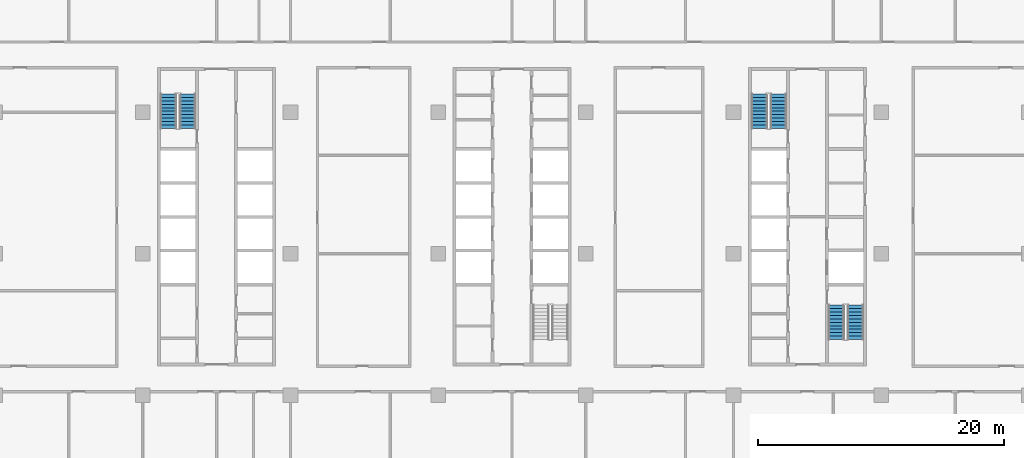
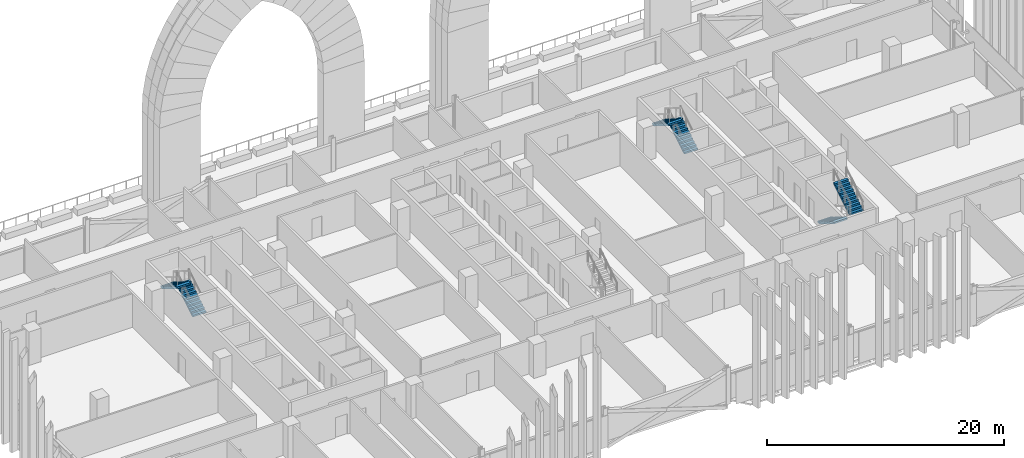
# One storey, part 16 of 30: 6 stair flights, 3 elements without a shape of their own.
"""IFC4 building model written with IfcOpenShell, lengths in metres."""

import ifcopenshell
import ifcopenshell.guid

model = None  # the IFC model being written
_history = None  # IfcOwnerHistory: only IFC2X3 demands one
_inside = {}  # id of a spatial element -> (the spatial element, [elements in it])
_under = {}  # id of a project, library or spatial element -> (it, [spatial elements below it])
_declared = {}  # id of a project -> (the project, [libraries it declares])
_typed = {}  # id of a type object -> (the type object, [elements of that type])
_made_of = {}  # id of a material, layer set ... -> (it, [elements and type objects made of it])


def new_model(schema):
    """Start an empty IFC model of exactly this schema.

    Asked for "IFC4X3", IfcOpenShell would pick the latest addendum, in which some entities
    have other attributes; the version numbers below select the first issue.
    IFC2X3 requires an IfcOwnerHistory on every rooted entity: one is made here for all.
    """
    global model, _history
    if schema == "IFC4X3":
        model = ifcopenshell.file(schema_version=(4, 3, 0, 0))
    else:
        model = ifcopenshell.file(schema=schema)
    _inside.clear()
    _under.clear()
    _declared.clear()
    _typed.clear()
    _made_of.clear()
    _history = None
    if model.schema == "IFC2X3":
        org = make("IfcOrganization", Name="unknown")
        user = make(
            "IfcPersonAndOrganization",
            ThePerson=make("IfcPerson", FamilyName="unknown"),
            TheOrganization=org,
        )
        app = make(
            "IfcApplication",
            ApplicationDeveloper=org,
            Version="unknown",
            ApplicationFullName="unknown",
            ApplicationIdentifier="unknown",
        )
        _history = make(
            "IfcOwnerHistory",
            OwningUser=user,
            OwningApplication=app,
            ChangeAction="ADDED",
            CreationDate=0,
        )
    return model


def make(cls, **values):
    """One entity of the class cls with the attributes given. An attribute that is None is left unset."""
    return model.create_entity(
        cls, **{name: value for name, value in values.items() if value is not None}
    )


def rooted(cls, **values):
    """An entity with a GlobalId (a new one), such as an element, a storey or a relation."""
    return make(cls, GlobalId=ifcopenshell.guid.new(), OwnerHistory=_history, **values)


def si_unit(unit_type, name, prefix=None):
    """IfcSIUnit, for example si_unit("LENGTHUNIT", "METRE", prefix="MILLI")."""
    return make("IfcSIUnit", UnitType=unit_type, Prefix=prefix, Name=name)


def assignment(units):
    """IfcUnitAssignment: the units of a project."""
    return None if units is None else make("IfcUnitAssignment", Units=units)


def point(xyz):
    """IfcCartesianPoint."""
    return None if xyz is None else make("IfcCartesianPoint", Coordinates=xyz)


def direction(xyz):
    """IfcDirection."""
    return None if xyz is None else make("IfcDirection", DirectionRatios=xyz)


def frame(location, z_axis=None, x_axis=None):
    """IfcAxis2Placement3D, a coordinate frame: its origin and axes. An axis left out is left unset."""
    return make(
        "IfcAxis2Placement3D",
        Location=point(location),
        Axis=direction(z_axis),
        RefDirection=direction(x_axis),
    )


def origin():
    """The frame at (0, 0, 0) with its axes left unset."""
    return frame((0.0, 0.0, 0.0))


def place(relative_to, where):
    """IfcLocalPlacement: puts the frame where relative to a parent placement (None: the world)."""
    return make(
        "IfcLocalPlacement", PlacementRelTo=relative_to, RelativePlacement=where
    )


def context(
    kind, dimensions, precision=None, world=None, true_north=None, identifier=None
):
    """IfcGeometricRepresentationContext, for example the 3D "Model" context."""
    return make(
        "IfcGeometricRepresentationContext",
        ContextIdentifier=identifier,
        ContextType=kind,
        CoordinateSpaceDimension=dimensions,
        Precision=precision,
        WorldCoordinateSystem=world,
        TrueNorth=true_north,
    )


def subcontext(parent, identifier, kind, view, scale=None):
    """IfcGeometricRepresentationSubContext, for example "Body" below "Model"."""
    return make(
        "IfcGeometricRepresentationSubContext",
        ContextIdentifier=identifier,
        ContextType=kind,
        ParentContext=parent,
        TargetScale=scale,
        TargetView=view,
    )


def project(units=None, contexts=None):
    """IfcProject with its units and contexts."""
    return rooted(
        "IfcProject",
        Name="project",
        RepresentationContexts=contexts,
        UnitsInContext=assignment(units),
    )


def spatial(cls, under=None, at=None, **own):
    """A site, building, storey or space (cls), placed at a placement, below another one or the project."""
    s = rooted(cls, ObjectPlacement=at, **own)
    if under is not None:
        _under.setdefault(under.id(), (under, []))[1].append(s)
    return s


def polyline(points):
    """IfcPolyline through the points."""
    return make("IfcPolyline", Points=[point(p) for p in points])


def outline(outer, holes=None, kind="AREA"):
    """IfcArbitraryClosedProfileDef: a profile drawn as a closed curve; with holes, ...WithVoids."""
    if holes is None:
        return make("IfcArbitraryClosedProfileDef", ProfileType=kind, OuterCurve=outer)
    return make(
        "IfcArbitraryProfileDefWithVoids",
        ProfileType=kind,
        OuterCurve=outer,
        InnerCurves=holes,
    )


def extrude(swept, where, along, depth):
    """IfcExtrudedAreaSolid: the profile swept, set in the frame where, extruded along a direction by depth."""
    return make(
        "IfcExtrudedAreaSolid",
        SweptArea=swept,
        Position=where,
        ExtrudedDirection=direction(along),
        Depth=depth,
    )


def shape(context_of_items, identifier, shape_type, items):
    """IfcShapeRepresentation: the items that make up one representation, for example the "Body"."""
    return make(
        "IfcShapeRepresentation",
        ContextOfItems=context_of_items,
        RepresentationIdentifier=identifier,
        RepresentationType=shape_type,
        Items=items,
    )


def material(Name=None, Category=None):
    """IfcMaterial."""
    return make("IfcMaterial", Name=Name, Category=Category)


def made_of(thing, what):
    """Note that an element or type object is made of a material, layer set ...; save() writes the relation."""
    if what is not None:
        _made_of.setdefault(what.id(), (what, []))[1].append(thing)
    return thing


def type_object(cls, material=None, **own):
    """A type object (cls), such as IfcWallType, which elements share."""
    return made_of(rooted(cls, **own), material)


def element(
    cls,
    number,
    at=None,
    inside=None,
    cuts=None,
    type_object=None,
    material=None,
    context=None,
    identifier="Body",
    shape_type=None,
    held_by="IfcProductDefinitionShape",
    body=None,
    shapes=None,
    **own,
):
    """One element of the class cls, such as IfcWall. Its Tag is "e" and its number.

    at: its placement. inside: the storey or other place that contains it. cuts: it is an
    opening in that element (IfcRelVoidsElement). A single representation is given by context,
    identifier, shape_type and body (its items); several are given by shapes. held_by: the class
    of the entity that holds the representations. save() writes the other relations.
    """
    e = rooted(cls, Tag="e%d" % number, ObjectPlacement=at, **own)
    if body is not None:
        shapes = [shape(context, identifier, shape_type, body)]
    if shapes is not None:
        e.Representation = make(held_by, Representations=shapes)
    if inside is not None:
        _inside.setdefault(inside.id(), (inside, []))[1].append(e)
    if cuts is not None:
        rooted(
            "IfcRelVoidsElement", RelatingBuildingElement=cuts, RelatedOpeningElement=e
        )
    if type_object is not None:
        _typed.setdefault(type_object.id(), (type_object, []))[1].append(e)
    return made_of(e, material)


def aggregate(whole, parts):
    """IfcRelAggregates: a whole, such as a stair, and the parts it consists of."""
    return rooted("IfcRelAggregates", RelatingObject=whole, RelatedObjects=parts)


def save(model, path):
    """Write the relations noted so far, then the file.

    IfcRelAggregates (storeys below a building ...), IfcRelContainedInSpatialStructure (elements
    in a storey), IfcRelDefinesByType, IfcRelAssociatesMaterial and IfcRelDeclares: one each for
    every whole, place, type object, material and project.
    """
    for whole, parts in _under.values():
        aggregate(whole, parts)
    for where, things in _inside.values():
        rooted(
            "IfcRelContainedInSpatialStructure",
            RelatedElements=things,
            RelatingStructure=where,
        )
    for kind, things in _typed.values():
        rooted("IfcRelDefinesByType", RelatedObjects=things, RelatingType=kind)
    for what, things in _made_of.values():
        rooted("IfcRelAssociatesMaterial", RelatedObjects=things, RelatingMaterial=what)
    for by, libraries in _declared.values():
        rooted("IfcRelDeclares", RelatingContext=by, RelatedDefinitions=libraries)
    model.write(path)


model = new_model("IFC4")

# Units and contexts
model_context = context("Model", 3, precision=1e-05, world=origin(), true_north=direction((0.0, 1.0)))
body_context = subcontext(model_context, "Body", "Model", "MODEL_VIEW")
ifc_project = project(units=[si_unit("LENGTHUNIT", "METRE"), si_unit("AREAUNIT", "SQUARE_METRE"), si_unit("VOLUMEUNIT", "CUBIC_METRE"), si_unit("PLANEANGLEUNIT", "RADIAN"), si_unit("MASSUNIT", "GRAM", prefix="KILO")], contexts=[model_context])

# Site, building, storey
site_placement = place(None, origin())
site = spatial("IfcSite", under=ifc_project, at=site_placement, CompositionType="ELEMENT")
building_placement = place(site_placement, origin())
building = spatial("IfcBuilding", under=site, at=building_placement, Name="Mahtab Terrace Research Tower", CompositionType="ELEMENT")
storey_placement = place(building_placement, frame((0.0, 0.0, 159.199951171875)))
storey = spatial("IfcBuildingStorey", under=building, at=storey_placement, Name="L37", CompositionType="ELEMENT", Elevation=159.199951171875)

# Stair, stair flights
ifc_material_1 = material(Name="Exit stair half-turn")
stair_type = type_object("IfcStairType", Name="Exit stair half-turn", PredefinedType="HALF_TURN_STAIR", material=ifc_material_1)
stair_1_placement = place(storey_placement, origin())
stair_1 = element("IfcStair", 1, at=stair_1_placement, inside=storey, type_object=stair_type, Name="L37 Protected exit stair ST1", PredefinedType="HALF_TURN_STAIR")
ifc_material_2 = material(Name="Concrete C40/50", Category="concrete")
stair_flight_type = type_object("IfcStairFlightType", Name="Exit stair flight 1300", PredefinedType="STRAIGHT", material=ifc_material_2)
stair_flight_1_placement = place(storey_placement, frame((-26.35009765625, 10.175048828125, 0.0), z_axis=(0.0, 0.0, 1.0), x_axis=(0.0, 1.0, 0.0)))
stair_flight_1 = element("IfcStairFlight", 2, at=stair_flight_1_placement, type_object=stair_flight_type, Name="ST1 flight 1", NumberOfRisers=11, NumberOfTreads=10, PredefinedType="STRAIGHT", RiserHeight=0.172727273, TreadLength=0.28, context=body_context, shape_type="SweptSolid", body=[
    extrude(outline(polyline([(0.0, 0.0), (0.0, 0.172607421875), (0.280029296875, 0.172607421875), (0.280029296875, 0.345458984375), (0.56005859375, 0.345458984375), (0.56005859375, 0.51806640625), (0.840087890625, 0.51806640625), (0.840087890625, 0.69091796875), (1.1201171875, 0.69091796875), (1.1201171875, 0.863525390625), (1.39990234375, 0.863525390625), (1.39990234375, 1.036376953125), (1.679931640625, 1.036376953125), (1.679931640625, 1.208984375), (1.9599609375, 1.208984375), (1.9599609375, 1.3818359375), (2.239990234375, 1.3818359375), (2.239990234375, 1.554443359375), (2.52001953125, 1.554443359375), (2.52001953125, 1.727294921875), (2.800048828125, 1.727294921875), (2.800048828125, 1.89990234375), (2.800048828125, 1.551025390625), (0.285400390625, 0.0), (0.0, 0.0)])), frame((0.0, 0.64990234375, 0.0), z_axis=(0.0, -1.0, 0.0), x_axis=(1.0, 0.0, 0.0)), (0.0, 0.0, 1.0), 1.300048828125),
])
stair_flight_2_placement = place(storey_placement, frame((-27.89990234375, 12.97509765625, 1.900146484375), z_axis=(0.0, 0.0, 1.0), x_axis=(0.0, -1.0, 0.0)))
stair_flight_2 = element("IfcStairFlight", 3, at=stair_flight_2_placement, type_object=stair_flight_type, Name="ST1 flight 2", NumberOfRisers=11, NumberOfTreads=10, PredefinedType="STRAIGHT", RiserHeight=0.172727273, TreadLength=0.28, context=body_context, shape_type="SweptSolid", body=[
    extrude(outline(polyline([(0.0, 0.0), (0.0, 0.172607421875), (0.280029296875, 0.172607421875), (0.280029296875, 0.345458984375), (0.56005859375, 0.345458984375), (0.56005859375, 0.51806640625), (0.840087890625, 0.51806640625), (0.840087890625, 0.69091796875), (1.1201171875, 0.69091796875), (1.1201171875, 0.863525390625), (1.39990234375, 0.863525390625), (1.39990234375, 1.036376953125), (1.679931640625, 1.036376953125), (1.679931640625, 1.208984375), (1.9599609375, 1.208984375), (1.9599609375, 1.3818359375), (2.239990234375, 1.3818359375), (2.239990234375, 1.554443359375), (2.52001953125, 1.554443359375), (2.52001953125, 1.727294921875), (2.800048828125, 1.727294921875), (2.800048828125, 1.89990234375), (2.800048828125, 1.551025390625), (0.285400390625, 0.0), (0.0, 0.0)])), frame((0.0, 0.64990234375, 0.0), z_axis=(0.0, -1.0, 0.0), x_axis=(1.0, 0.0, 0.0)), (0.0, 0.0, 1.0), 1.300048828125),
])
aggregate(stair_1, [stair_flight_1, stair_flight_2])

stair_2_placement = place(storey_placement, origin())
stair_2 = element("IfcStair", 4, at=stair_2_placement, inside=storey, type_object=stair_type, Name="L37 Protected exit stair ST3", PredefinedType="HALF_TURN_STAIR")
stair_flight_3_placement = place(storey_placement, frame((21.64990234375, 10.175048828125, 0.0), z_axis=(0.0, 0.0, 1.0), x_axis=(0.0, 1.0, 0.0)))
stair_flight_3 = element("IfcStairFlight", 5, at=stair_flight_3_placement, type_object=stair_flight_type, Name="ST3 flight 1", NumberOfRisers=11, NumberOfTreads=10, PredefinedType="STRAIGHT", RiserHeight=0.172727273, TreadLength=0.28, context=body_context, shape_type="SweptSolid", body=[
    extrude(outline(polyline([(0.0, 0.0), (0.0, 0.172607421875), (0.280029296875, 0.172607421875), (0.280029296875, 0.345458984375), (0.56005859375, 0.345458984375), (0.56005859375, 0.51806640625), (0.840087890625, 0.51806640625), (0.840087890625, 0.69091796875), (1.1201171875, 0.69091796875), (1.1201171875, 0.863525390625), (1.39990234375, 0.863525390625), (1.39990234375, 1.036376953125), (1.679931640625, 1.036376953125), (1.679931640625, 1.208984375), (1.9599609375, 1.208984375), (1.9599609375, 1.3818359375), (2.239990234375, 1.3818359375), (2.239990234375, 1.554443359375), (2.52001953125, 1.554443359375), (2.52001953125, 1.727294921875), (2.800048828125, 1.727294921875), (2.800048828125, 1.89990234375), (2.800048828125, 1.551025390625), (0.285400390625, 0.0), (0.0, 0.0)])), frame((0.0, 0.64990234375, 0.0), z_axis=(0.0, -1.0, 0.0), x_axis=(1.0, 0.0, 0.0)), (0.0, 0.0, 1.0), 1.300048828125),
])
stair_flight_4_placement = place(storey_placement, frame((20.10009765625, 12.97509765625, 1.900146484375), z_axis=(0.0, 0.0, 1.0), x_axis=(0.0, -1.0, 0.0)))
stair_flight_4 = element("IfcStairFlight", 6, at=stair_flight_4_placement, type_object=stair_flight_type, Name="ST3 flight 2", NumberOfRisers=11, NumberOfTreads=10, PredefinedType="STRAIGHT", RiserHeight=0.172727273, TreadLength=0.28, context=body_context, shape_type="SweptSolid", body=[
    extrude(outline(polyline([(0.0, 0.0), (0.0, 0.172607421875), (0.280029296875, 0.172607421875), (0.280029296875, 0.345458984375), (0.56005859375, 0.345458984375), (0.56005859375, 0.51806640625), (0.840087890625, 0.51806640625), (0.840087890625, 0.69091796875), (1.1201171875, 0.69091796875), (1.1201171875, 0.863525390625), (1.39990234375, 0.863525390625), (1.39990234375, 1.036376953125), (1.679931640625, 1.036376953125), (1.679931640625, 1.208984375), (1.9599609375, 1.208984375), (1.9599609375, 1.3818359375), (2.239990234375, 1.3818359375), (2.239990234375, 1.554443359375), (2.52001953125, 1.554443359375), (2.52001953125, 1.727294921875), (2.800048828125, 1.727294921875), (2.800048828125, 1.89990234375), (2.800048828125, 1.551025390625), (0.285400390625, 0.0), (0.0, 0.0)])), frame((0.0, 0.64990234375, 0.0), z_axis=(0.0, -1.0, 0.0), x_axis=(1.0, 0.0, 0.0)), (0.0, 0.0, 1.0), 1.300048828125),
])
aggregate(stair_2, [stair_flight_3, stair_flight_4])

stair_3_placement = place(storey_placement, origin())
stair_3 = element("IfcStair", 7, at=stair_3_placement, inside=storey, type_object=stair_type, Name="L37 Protected exit stair ST4", PredefinedType="HALF_TURN_STAIR")
stair_flight_5_placement = place(storey_placement, frame((26.35009765625, -4.175048828125, 0.0), z_axis=(0.0, 0.0, 1.0), x_axis=(0.0, -1.0, 0.0)))
stair_flight_5 = element("IfcStairFlight", 8, at=stair_flight_5_placement, type_object=stair_flight_type, Name="ST4 flight 1", NumberOfRisers=11, NumberOfTreads=10, PredefinedType="STRAIGHT", RiserHeight=0.172727273, TreadLength=0.28, context=body_context, shape_type="SweptSolid", body=[
    extrude(outline(polyline([(0.0, 0.0), (0.0, 0.172607421875), (0.280029296875, 0.172607421875), (0.280029296875, 0.345458984375), (0.56005859375, 0.345458984375), (0.56005859375, 0.51806640625), (0.840087890625, 0.51806640625), (0.840087890625, 0.69091796875), (1.1201171875, 0.69091796875), (1.1201171875, 0.863525390625), (1.39990234375, 0.863525390625), (1.39990234375, 1.036376953125), (1.679931640625, 1.036376953125), (1.679931640625, 1.208984375), (1.9599609375, 1.208984375), (1.9599609375, 1.3818359375), (2.239990234375, 1.3818359375), (2.239990234375, 1.554443359375), (2.52001953125, 1.554443359375), (2.52001953125, 1.727294921875), (2.800048828125, 1.727294921875), (2.800048828125, 1.89990234375), (2.800048828125, 1.551025390625), (0.285400390625, 0.0), (0.0, 0.0)])), frame((0.0, 0.64990234375, 0.0), z_axis=(0.0, -1.0, 0.0), x_axis=(1.0, 0.0, 0.0)), (0.0, 0.0, 1.0), 1.300048828125),
])
stair_flight_6_placement = place(storey_placement, frame((27.89990234375, -6.97509765625, 1.900146484375), z_axis=(0.0, 0.0, 1.0), x_axis=(0.0, 1.0, 0.0)))
stair_flight_6 = element("IfcStairFlight", 9, at=stair_flight_6_placement, type_object=stair_flight_type, Name="ST4 flight 2", NumberOfRisers=11, NumberOfTreads=10, PredefinedType="STRAIGHT", RiserHeight=0.172727273, TreadLength=0.28, context=body_context, shape_type="SweptSolid", body=[
    extrude(outline(polyline([(0.0, 0.0), (0.0, 0.172607421875), (0.280029296875, 0.172607421875), (0.280029296875, 0.345458984375), (0.56005859375, 0.345458984375), (0.56005859375, 0.51806640625), (0.840087890625, 0.51806640625), (0.840087890625, 0.69091796875), (1.1201171875, 0.69091796875), (1.1201171875, 0.863525390625), (1.39990234375, 0.863525390625), (1.39990234375, 1.036376953125), (1.679931640625, 1.036376953125), (1.679931640625, 1.208984375), (1.9599609375, 1.208984375), (1.9599609375, 1.3818359375), (2.239990234375, 1.3818359375), (2.239990234375, 1.554443359375), (2.52001953125, 1.554443359375), (2.52001953125, 1.727294921875), (2.800048828125, 1.727294921875), (2.800048828125, 1.89990234375), (2.800048828125, 1.551025390625), (0.285400390625, 0.0), (0.0, 0.0)])), frame((0.0, 0.64990234375, 0.0), z_axis=(0.0, -1.0, 0.0), x_axis=(1.0, 0.0, 0.0)), (0.0, 0.0, 1.0), 1.300048828125),
])
aggregate(stair_3, [stair_flight_5, stair_flight_6])

save(model, "model.ifc")
